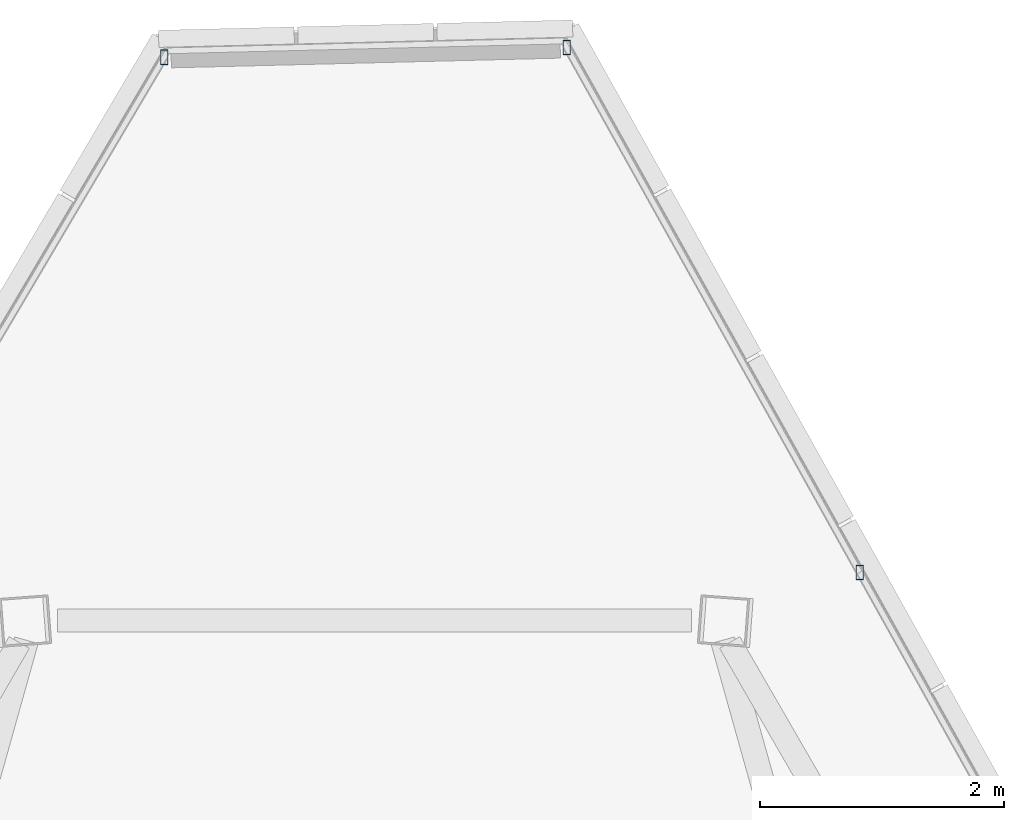
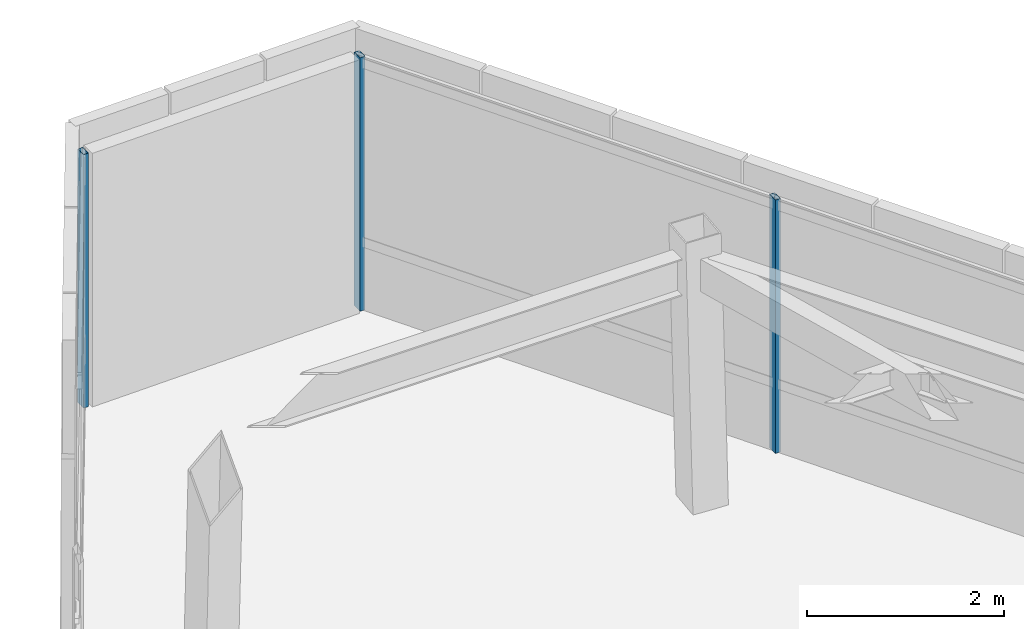
# One storey, part 37 of 44: 3 members, 2 elements without a shape of their own.
"""IFC4 building model written with IfcOpenShell, lengths in metres."""

from ifc_helpers import new_model, si_unit, direction, frame, origin, origin_2d, place, context, subcontext, project, spatial, hollow_rectangle, extrude, source, transform, mapped, material, material_profile, profile_set, type_object, type_shapes, element, aggregate, save


model = new_model("IFC4")

# Units and contexts
model_context = context("Model", 3, precision=1e-05, world=origin(), true_north=direction((0.0, 1.0)))
body_context = subcontext(model_context, "Body", "Model", "MODEL_VIEW")
ifc_project = project(units=[si_unit("LENGTHUNIT", "METRE"), si_unit("AREAUNIT", "SQUARE_METRE"), si_unit("VOLUMEUNIT", "CUBIC_METRE"), si_unit("PLANEANGLEUNIT", "RADIAN"), si_unit("MASSUNIT", "GRAM", prefix="KILO")], contexts=[model_context])

# Site, building, storey
site_placement = place(None, origin())
site = spatial("IfcSite", under=ifc_project, at=site_placement, CompositionType="ELEMENT")
building_placement = place(site_placement, origin())
building = spatial("IfcBuilding", under=site, at=building_placement, Name="Caelisora Broadcast Tower", CompositionType="ELEMENT")
storey_placement = place(building_placement, frame((0.0, 0.0, 296.60009765625)))
storey = spatial("IfcBuildingStorey", under=building, at=storey_placement, Name="L78", CompositionType="ELEMENT", Elevation=296.60009765625)

# Curtain wall, members
ifc_material_1 = material(Name="Unitised Aluminium Insulated Shadow-Box Spandrel Curtain Wall", Category="aluminium")
curtain_wall_type = type_object("IfcCurtainWallType", Name="CW-SP3", PredefinedType="NOTDEFINED", material=ifc_material_1)
curtain_wall_1_placement = place(storey_placement, origin())
curtain_wall_1 = element("IfcCurtainWall", 1, at=curtain_wall_1_placement, inside=storey, type_object=curtain_wall_type, Name="L78 curtain wall CW-SP3", PredefinedType="NOTDEFINED")
ifc_material_2 = material(Name="Aluminium 6063-T6 Anodised Terracotta Bronze", Category="aluminium")
ifc_material_profile = material_profile(ifc_material_2, hollow_rectangle(XDim=0.06005859375, YDim=0.1201171875, WallThickness=0.0029296875, at=origin_2d()), Name="Aluminium 6063-T6 Anodised Terracotta Bronze")
ifc_profile_set = profile_set([ifc_material_profile], Name="Aluminium 6063-T6 Anodised Terracotta Bronze")
member_type = type_object("IfcMemberType", Name="CWM-04", PredefinedType="MULLION", material=ifc_profile_set)
shared_shape = source(origin(), body_context, "Body", "SweptSolid", [
    extrude(hollow_rectangle(XDim=0.06005859375, YDim=0.1201171875, WallThickness=0.0029296875, at=origin_2d()), origin(), (0.0, 0.0, 1.0), 3.14990234375),
])
type_shapes(member_type, [shared_shape])
member_1_placement = place(storey_placement, frame((39.573486328125, 51.4423828125, 0.0), z_axis=(0.0, 0.0, 1.0), x_axis=(1.0, 0.0, 0.0)))
member_1 = element("IfcMember", 2, at=member_1_placement, type_object=member_type, Name="L78-CW-B01 mullion #0", PredefinedType="MULLION", context=body_context, shape_type="MappedRepresentation", body=[
    mapped(shared_shape, transform((0.0, 0.0, 0.0), scale=1.0)),
])
member_2_placement = place(storey_placement, frame((41.972412109375, 47.14453125, 0.0), z_axis=(0.0, 0.0, 1.0), x_axis=(1.0, 0.0, 0.0)))
member_2 = element("IfcMember", 3, at=member_2_placement, type_object=member_type, Name="L78-CW-B01 mullion #1", PredefinedType="MULLION", context=body_context, shape_type="MappedRepresentation", body=[
    mapped(shared_shape, transform((0.0, 0.0, 0.0), scale=1.0)),
])
aggregate(curtain_wall_1, [member_1, member_2])

# Curtain wall, member
curtain_wall_2_placement = place(storey_placement, origin())
curtain_wall_2 = element("IfcCurtainWall", 4, at=curtain_wall_2_placement, inside=storey, type_object=curtain_wall_type, Name="L78 curtain wall CW-SP3", PredefinedType="NOTDEFINED")
member_3_placement = place(storey_placement, frame((36.278564453125, 51.362060546875, 0.0), z_axis=(0.0, 0.0, 1.0), x_axis=(1.0, 0.0, 0.0)))
member_3 = element("IfcMember", 5, at=member_3_placement, type_object=member_type, Name="L78-CW-B11 mullion #3", PredefinedType="MULLION", context=body_context, shape_type="MappedRepresentation", body=[
    mapped(shared_shape, transform((0.0, 0.0, 0.0), scale=1.0)),
])
aggregate(curtain_wall_2, [member_3])

save(model, "model.ifc")
